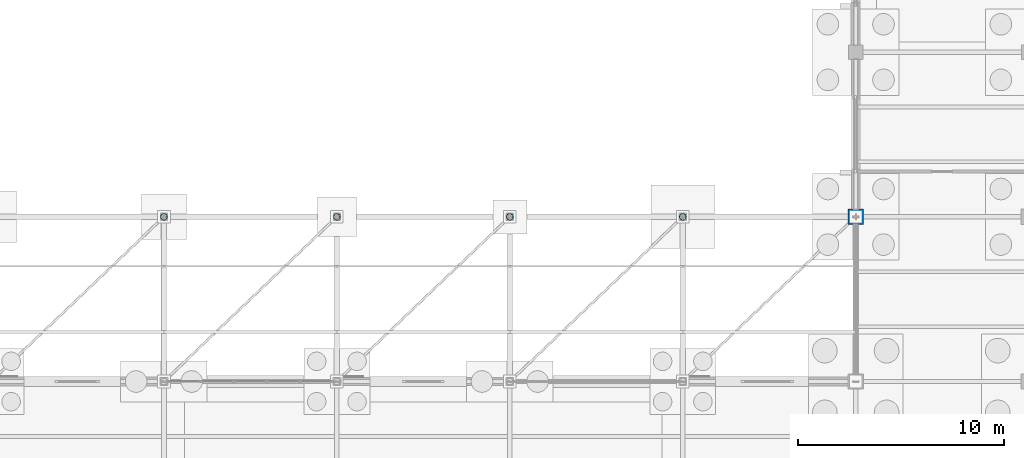
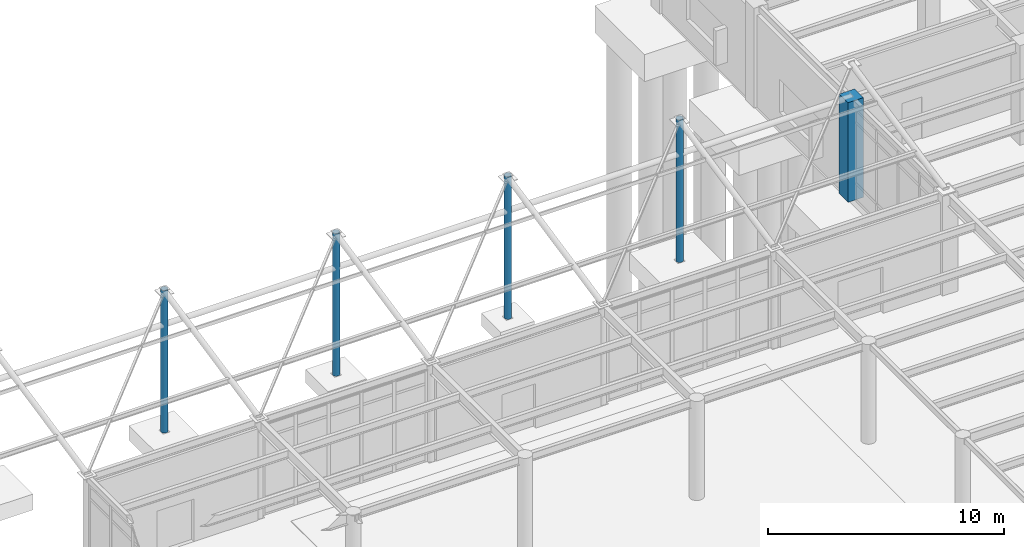
# One storey, part 17 of 138: 5 columns.
"""IFC4 building model written with IfcOpenShell, lengths in metres."""

from ifc_helpers import new_model, si_unit, direction, frame, origin, origin_2d, place, context, subcontext, project, spatial, rectangle, hollow_circle, extrude, material, material_profile, profile_set, type_object, element, save


model = new_model("IFC4")

# Units and contexts
model_context = context("Model", 3, precision=1e-05, world=origin(), true_north=direction((0.0, 1.0)))
body_context = subcontext(model_context, "Body", "Model", "MODEL_VIEW")
ifc_project = project(units=[si_unit("LENGTHUNIT", "METRE"), si_unit("AREAUNIT", "SQUARE_METRE"), si_unit("VOLUMEUNIT", "CUBIC_METRE"), si_unit("PLANEANGLEUNIT", "RADIAN"), si_unit("MASSUNIT", "GRAM", prefix="KILO")], contexts=[model_context])

# Site, building, storey
site_placement = place(None, origin())
site = spatial("IfcSite", under=ifc_project, at=site_placement, CompositionType="ELEMENT")
building_placement = place(site_placement, origin())
building = spatial("IfcBuilding", under=site, at=building_placement, Name="Kranzveld Transit Interchange", CompositionType="ELEMENT")
storey_placement = place(building_placement, origin())
storey = spatial("IfcBuildingStorey", under=building, at=storey_placement, Name="L00", CompositionType="ELEMENT", Elevation=0.0)

# Columns
ifc_material_1 = material(Name="Steel S355JR", Category="steel")
ifc_material_profile_1 = material_profile(ifc_material_1, hollow_circle(Radius=0.161865234375, WallThickness=0.012451171875, at=origin_2d()), Name="CHS 323.9x12.5")
ifc_profile_set_1 = profile_set([ifc_material_profile_1], Name="Steel S355JR")
column_type_1 = type_object("IfcColumnType", Name="Canopy Column CHS 323.9x12.5 S355JR", PredefinedType="COLUMN", material=ifc_profile_set_1)
for number, where, z_axis, x_axis, name in (
    (1, (67.199951171875, 96.0, -0.419921875), (0.0, 0.0, 1.0), (1.0, 0.0, 0.0), "L00 Column 09/N"),
    (2, (75.60009765625, 96.0, -0.419921875), (0.0, 0.0, 1.0), (1.0, 0.0, 0.0), "L00 Column 10/N"),
    (3, (84.0, 96.0, -0.419921875), (0.0, 0.0, 1.0), (1.0, 0.0, 0.0), "L00 Column 11/N"),
    (4, (92.39990234375, 96.0, -0.419921875), (0.0, 0.0, 1.0), (1.0, 0.0, 0.0), "L00 Column 12/N"),
):
    element("IfcColumn", number, at=place(storey_placement, frame(where, z_axis=z_axis, x_axis=x_axis)), inside=storey, type_object=column_type_1, Name=name, PredefinedType="COLUMN", context=body_context, shape_type="SweptSolid", body=[
        extrude(hollow_circle(Radius=0.161865234375, WallThickness=0.012451171875, at=origin_2d()), origin(), (0.0, 0.0, 1.0), 7.375),
    ])
ifc_material_2 = material(Name="Concrete C40/50", Category="concrete")
ifc_material_profile_2 = material_profile(ifc_material_2, rectangle(XDim=0.75, YDim=0.75, at=origin_2d()), Name="RC 750x750")
ifc_profile_set_2 = profile_set([ifc_material_profile_2], Name="Concrete C40/50")
column_type_2 = type_object("IfcColumnType", Name="Column RC 750x750 C40/50", PredefinedType="COLUMN", material=ifc_profile_set_2)
column_placement = place(storey_placement, frame((100.800048828125, 96.0, 0.0), z_axis=(0.0, 0.0, 1.0), x_axis=(1.0, 0.0, 0.0)))
element("IfcColumn", 5, at=column_placement, inside=storey, type_object=column_type_2, Name="L00 Column 13/N", PredefinedType="COLUMN", context=body_context, shape_type="SweptSolid", body=[
    extrude(rectangle(XDim=0.75, YDim=0.75, at=origin_2d()), origin(), (0.0, 0.0, 1.0), 5.14990234375),
])

save(model, "model.ifc")
